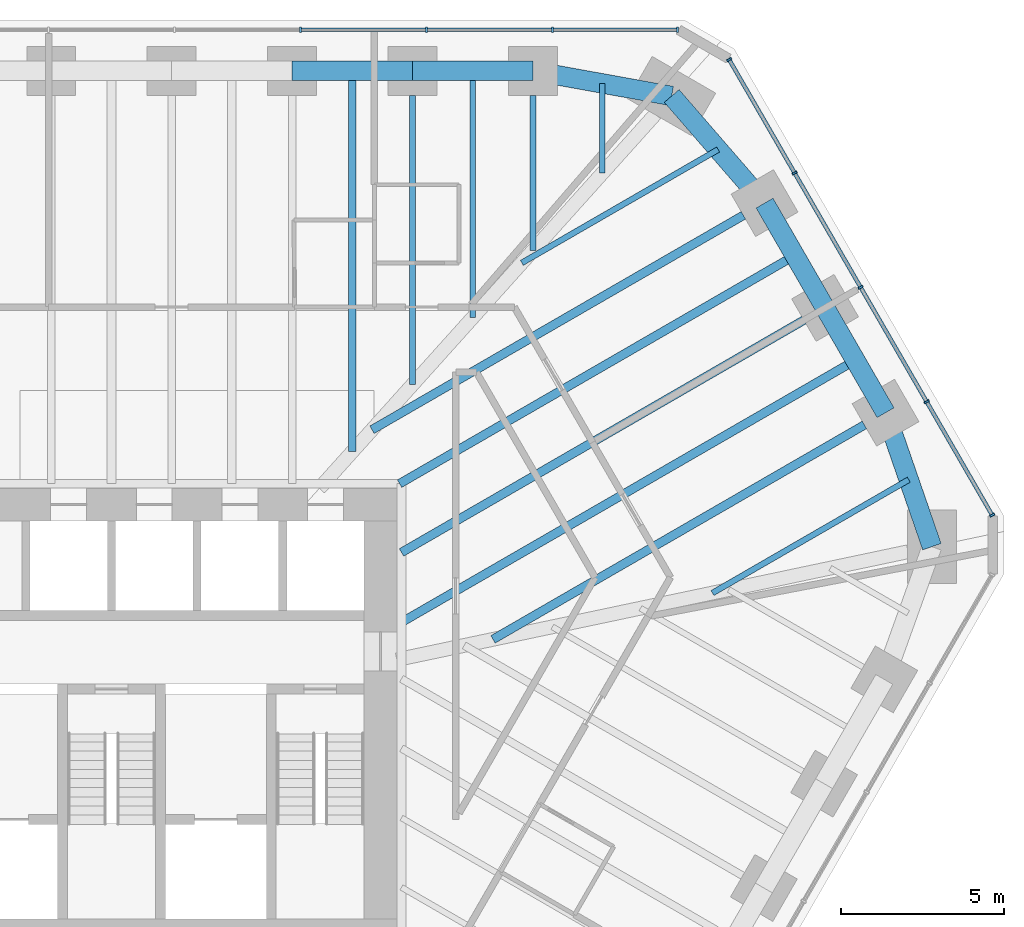
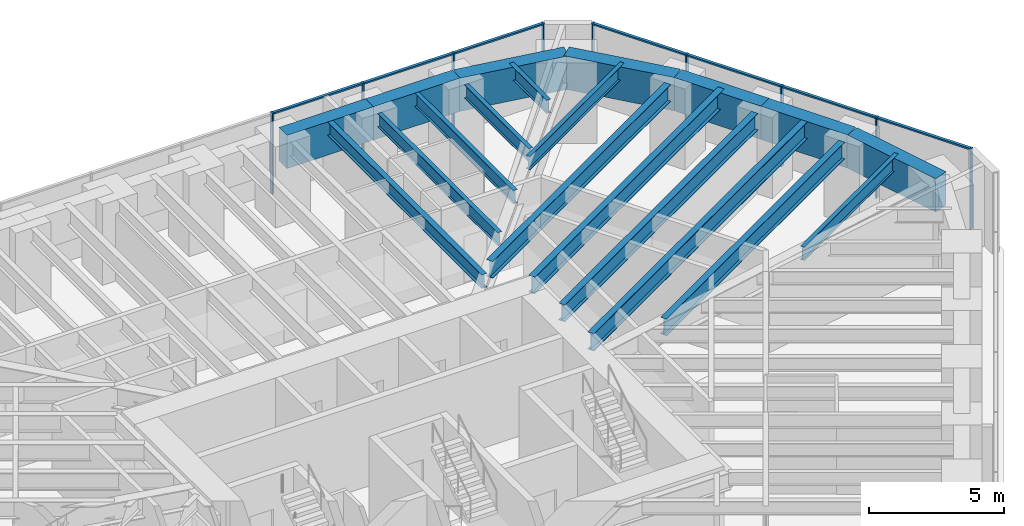
# One storey, part 9 of 16: 19 beams, 16 members, 2 elements without a shape of their own.
"""IFC4 building model written with IfcOpenShell, lengths in metres."""

from ifc_helpers import new_model, si_unit, direction, frame, origin, origin_2d, place, context, subcontext, project, spatial, rectangle, i_section, extrude, material, material_profile, profile_set, type_object, element, aggregate, save


model = new_model("IFC4")

# Units and contexts
model_context = context("Model", 3, precision=1e-05, world=origin(), true_north=direction((0.0, 1.0)))
body_context = subcontext(model_context, "Body", "Model", "MODEL_VIEW")
ifc_project = project(units=[si_unit("LENGTHUNIT", "METRE"), si_unit("AREAUNIT", "SQUARE_METRE"), si_unit("VOLUMEUNIT", "CUBIC_METRE"), si_unit("PLANEANGLEUNIT", "RADIAN"), si_unit("MASSUNIT", "GRAM", prefix="KILO")], contexts=[model_context])

# Site, building, storey
site_placement = place(None, origin())
site = spatial("IfcSite", under=ifc_project, at=site_placement, CompositionType="ELEMENT")
building_placement = place(site_placement, origin())
building = spatial("IfcBuilding", under=site, at=building_placement, Name="Sandreach Pilgrim Tower", CompositionType="ELEMENT")
storey_placement = place(building_placement, frame((0.0, 0.0, 228.800048828125)))
storey = spatial("IfcBuildingStorey", under=building, at=storey_placement, Name="L57", CompositionType="ELEMENT", Elevation=228.800048828125)

# Curtain wall, members
ifc_material_1 = material(Name="Aluminium framed curtain wall", Category="aluminium")
curtain_wall_type = type_object("IfcCurtainWallType", Name="Upper hotel tower curtain wall", PredefinedType="NOTDEFINED", material=ifc_material_1)
curtain_wall_1_placement = place(storey_placement, origin())
curtain_wall_1 = element("IfcCurtainWall", 1, at=curtain_wall_1_placement, inside=storey, type_object=curtain_wall_type, Name="CW-3 L57 N", PredefinedType="NOTDEFINED")
ifc_material_2 = material(Name="Aluminium extrusion", Category="aluminium")
ifc_material_profile_1 = material_profile(ifc_material_2, rectangle(XDim=0.06494140625, YDim=0.159912109375, at=origin_2d()), Name="CW-3M 65X160")
ifc_profile_set_1 = profile_set([ifc_material_profile_1], Name="Aluminium extrusion")
member_type_1 = type_object("IfcMemberType", Name="CW-3 mullion", PredefinedType="MULLION", material=ifc_profile_set_1)
member_1_placement = place(storey_placement, frame((5.796630859375, 21.16015625, 0.0), z_axis=(0.0, 0.0, 1.0), x_axis=(1.0, 0.0, 0.0)))
member_1 = element("IfcMember", 2, at=member_1_placement, type_object=member_type_1, Name="CW-3 mullion 7", PredefinedType="MULLION", context=body_context, shape_type="SweptSolid", body=[
    extrude(rectangle(XDim=0.06494140625, YDim=0.159912109375, at=origin_2d()), origin(), (0.0, 0.0, 1.0), 3.639892578125),
])
member_2_placement = place(storey_placement, frame((9.6611328125, 21.16015625, 0.0), z_axis=(0.0, 0.0, 1.0), x_axis=(1.0, 0.0, 0.0)))
member_2 = element("IfcMember", 3, at=member_2_placement, type_object=member_type_1, Name="CW-3 mullion 8", PredefinedType="MULLION", context=body_context, shape_type="SweptSolid", body=[
    extrude(rectangle(XDim=0.06494140625, YDim=0.159912109375, at=origin_2d()), origin(), (0.0, 0.0, 1.0), 3.639892578125),
])
member_3_placement = place(storey_placement, frame((13.525390625, 21.16015625, 0.0), z_axis=(0.0, 0.0, 1.0), x_axis=(1.0, 0.0, 0.0)))
member_3 = element("IfcMember", 4, at=member_3_placement, type_object=member_type_1, Name="CW-3 mullion 9", PredefinedType="MULLION", context=body_context, shape_type="SweptSolid", body=[
    extrude(rectangle(XDim=0.06494140625, YDim=0.159912109375, at=origin_2d()), origin(), (0.0, 0.0, 1.0), 3.639892578125),
])
member_4_placement = place(storey_placement, frame((17.357421875, 21.16015625, 0.0), z_axis=(0.0, 0.0, 1.0), x_axis=(1.0, 0.0, 0.0)))
member_4 = element("IfcMember", 5, at=member_4_placement, type_object=member_type_1, Name="CW-3 mullion 10", PredefinedType="MULLION", context=body_context, shape_type="SweptSolid", body=[
    extrude(rectangle(XDim=0.06494140625, YDim=0.159912109375, at=origin_2d()), origin(), (0.0, 0.0, 1.0), 3.639892578125),
])

curtain_wall_2_placement = place(storey_placement, origin())
curtain_wall_2 = element("IfcCurtainWall", 6, at=curtain_wall_2_placement, inside=storey, type_object=curtain_wall_type, Name="CW-3 L57 NE", PredefinedType="NOTDEFINED")
member_5_placement = place(storey_placement, frame((18.93896484375, 20.2470703125, 0.0), z_axis=(0.0, 0.0, 1.0), x_axis=(0.5, -0.866025403784, 0.0)))
member_5 = element("IfcMember", 7, at=member_5_placement, type_object=member_type_1, Name="CW-3 mullion 1", PredefinedType="MULLION", context=body_context, shape_type="SweptSolid", body=[
    extrude(rectangle(XDim=0.06494140625, YDim=0.159912109375, at=origin_2d()), origin(), (0.0, 0.0, 1.0), 3.639892578125),
])
member_6_placement = place(storey_placement, frame((20.947021484375, 16.768798828125, 0.0), z_axis=(0.0, 0.0, 1.0), x_axis=(0.5, -0.866025403784, 0.0)))
member_6 = element("IfcMember", 8, at=member_6_placement, type_object=member_type_1, Name="CW-3 mullion 2", PredefinedType="MULLION", context=body_context, shape_type="SweptSolid", body=[
    extrude(rectangle(XDim=0.06494140625, YDim=0.159912109375, at=origin_2d()), origin(), (0.0, 0.0, 1.0), 3.639892578125),
])
member_7_placement = place(storey_placement, frame((22.971435546875, 13.262451171875, 0.0), z_axis=(0.0, 0.0, 1.0), x_axis=(0.5, -0.866025403784, 0.0)))
member_7 = element("IfcMember", 9, at=member_7_placement, type_object=member_type_1, Name="CW-3 mullion 3", PredefinedType="MULLION", context=body_context, shape_type="SweptSolid", body=[
    extrude(rectangle(XDim=0.06494140625, YDim=0.159912109375, at=origin_2d()), origin(), (0.0, 0.0, 1.0), 3.639892578125),
])
member_8_placement = place(storey_placement, frame((24.995849609375, 9.75634765625, 0.0), z_axis=(0.0, 0.0, 1.0), x_axis=(0.5, -0.866025403784, 0.0)))
member_8 = element("IfcMember", 10, at=member_8_placement, type_object=member_type_1, Name="CW-3 mullion 4", PredefinedType="MULLION", context=body_context, shape_type="SweptSolid", body=[
    extrude(rectangle(XDim=0.06494140625, YDim=0.159912109375, at=origin_2d()), origin(), (0.0, 0.0, 1.0), 3.639892578125),
])
member_9_placement = place(storey_placement, frame((27.00390625, 6.278076171875, 0.0), z_axis=(0.0, 0.0, 1.0), x_axis=(0.5, -0.866025403784, 0.0)))
member_9 = element("IfcMember", 11, at=member_9_placement, type_object=member_type_1, Name="CW-3 mullion 5", PredefinedType="MULLION", context=body_context, shape_type="SweptSolid", body=[
    extrude(rectangle(XDim=0.06494140625, YDim=0.159912109375, at=origin_2d()), origin(), (0.0, 0.0, 1.0), 3.639892578125),
])

# Member
ifc_material_3 = material(Name="Aluminium extrusion", Category="aluminium")
ifc_material_profile_2 = material_profile(ifc_material_3, rectangle(XDim=0.1201171875, YDim=0.070068359375, at=origin_2d()), Name="CW-3T 120X70")
ifc_profile_set_2 = profile_set([ifc_material_profile_2], Name="Aluminium extrusion")
member_type_2 = type_object("IfcMemberType", Name="CW-3 transom", PredefinedType="USERDEFINED", material=ifc_profile_set_2)
member_10_placement = place(storey_placement, frame((5.8291015625, 21.16015625, 3.60498046875), z_axis=(1.0, 0.0, 0.0), x_axis=(0.0, 1.0, 0.0)))
member_10 = element("IfcMember", 12, at=member_10_placement, type_object=member_type_2, Name="CW-3 head transom 7", ObjectType="TRANSOM", PredefinedType="USERDEFINED", context=body_context, shape_type="SweptSolid", body=[
    extrude(rectangle(XDim=0.1201171875, YDim=0.070068359375, at=origin_2d()), origin(), (0.0, 0.0, 1.0), 3.799560546875),
])

member_11_placement = place(storey_placement, frame((9.693603515625, 21.16015625, 3.60498046875), z_axis=(1.0, 0.0, 0.0), x_axis=(0.0, 1.0, 0.0)))
member_11 = element("IfcMember", 13, at=member_11_placement, type_object=member_type_2, Name="CW-3 head transom 8", ObjectType="TRANSOM", PredefinedType="USERDEFINED", context=body_context, shape_type="SweptSolid", body=[
    extrude(rectangle(XDim=0.1201171875, YDim=0.070068359375, at=origin_2d()), origin(), (0.0, 0.0, 1.0), 3.79931640625),
])

member_12_placement = place(storey_placement, frame((13.557861328125, 21.16015625, 3.60498046875), z_axis=(1.0, 0.0, 0.0), x_axis=(0.0, 1.0, 0.0)))
member_12 = element("IfcMember", 14, at=member_12_placement, type_object=member_type_2, Name="CW-3 head transom 9", ObjectType="TRANSOM", PredefinedType="USERDEFINED", context=body_context, shape_type="SweptSolid", body=[
    extrude(rectangle(XDim=0.1201171875, YDim=0.070068359375, at=origin_2d()), origin(), (0.0, 0.0, 1.0), 3.76708984375),
])

aggregate(curtain_wall_1, [member_1, member_2, member_3, member_4, member_10, member_11, member_12])

member_13_placement = place(storey_placement, frame((18.955322265625, 20.21875, 3.60498046875), z_axis=(0.499993448556, -0.866029186229, 0.0), x_axis=(0.866029186229, 0.499993448556, 0.0)))
member_13 = element("IfcMember", 15, at=member_13_placement, type_object=member_type_2, Name="CW-3 head transom 1", ObjectType="TRANSOM", PredefinedType="USERDEFINED", context=body_context, shape_type="SweptSolid", body=[
    extrude(rectangle(XDim=0.1201171875, YDim=0.070068359375, at=origin_2d()), origin(), (0.0, 0.0, 1.0), 3.951171875),
])

member_14_placement = place(storey_placement, frame((20.96337890625, 16.74072265625, 3.60498046875), z_axis=(0.499975332564, -0.866039645067, 0.0), x_axis=(0.866039645067, 0.499975332564, 0.0)))
member_14 = element("IfcMember", 16, at=member_14_placement, type_object=member_type_2, Name="CW-3 head transom 2", ObjectType="TRANSOM", PredefinedType="USERDEFINED", context=body_context, shape_type="SweptSolid", body=[
    extrude(rectangle(XDim=0.1201171875, YDim=0.070068359375, at=origin_2d()), origin(), (0.0, 0.0, 1.0), 3.983642578125),
])

member_15_placement = place(storey_placement, frame((22.98779296875, 13.234375, 3.60498046875), z_axis=(0.499975332564, -0.866039645067, 0.0), x_axis=(0.866039645067, 0.499975332564, 0.0)))
member_15 = element("IfcMember", 17, at=member_15_placement, type_object=member_type_2, Name="CW-3 head transom 3", ObjectType="TRANSOM", PredefinedType="USERDEFINED", context=body_context, shape_type="SweptSolid", body=[
    extrude(rectangle(XDim=0.1201171875, YDim=0.070068359375, at=origin_2d()), origin(), (0.0, 0.0, 1.0), 3.983642578125),
])

member_16_placement = place(storey_placement, frame((25.011962890625, 9.728271484375, 3.60498046875), z_axis=(0.499993448556, -0.866029186229, 0.0), x_axis=(0.866029186229, 0.499993448556, 0.0)))
member_16 = element("IfcMember", 18, at=member_16_placement, type_object=member_type_2, Name="CW-3 head transom 4", ObjectType="TRANSOM", PredefinedType="USERDEFINED", context=body_context, shape_type="SweptSolid", body=[
    extrude(rectangle(XDim=0.1201171875, YDim=0.070068359375, at=origin_2d()), origin(), (0.0, 0.0, 1.0), 3.951171875),
])

aggregate(curtain_wall_2, [member_5, member_6, member_7, member_8, member_9, member_13, member_14, member_15, member_16])

# Beams
ifc_material_4 = material(Name="Steel ASTM A992 Grade 50", Category="steel")
ifc_material_profile_3 = material_profile(ifc_material_4, i_section(OverallWidth=0.1787109375, OverallDepth=0.60205078125, WebThickness=0.010986328125, FlangeThickness=0.014892578125, at=origin_2d()), Name="W24X62")
ifc_profile_set_3 = profile_set([ifc_material_profile_3], Name="Steel ASTM A992 Grade 50")
beam_type_1 = type_object("IfcBeamType", Name="Floor beam W24X62", PredefinedType="BEAM", material=ifc_profile_set_3)
beam_1_placement = place(storey_placement, frame((9.231201171875, 19.150146484375, 3.3388671875), z_axis=(0.0, -1.0, 0.0), x_axis=(1.0, 0.0, 0.0)))
element("IfcBeam", 19, at=beam_1_placement, inside=storey, type_object=beam_type_1, Name="BM L57 F07", PredefinedType="BEAM", context=body_context, shape_type="SweptSolid", body=[
    extrude(i_section(OverallWidth=0.1787109375, OverallDepth=0.60205078125, WebThickness=0.010986328125, FlangeThickness=0.014892578125, at=origin_2d()), origin(), (0.0, 0.0, 1.0), 8.86962890625),
])
beam_2_placement = place(storey_placement, frame((12.923828125, 19.150146484375, 3.3388671875), z_axis=(0.0, -1.0, 0.0), x_axis=(1.0, 0.0, 0.0)))
element("IfcBeam", 20, at=beam_2_placement, inside=storey, type_object=beam_type_1, Name="BM L57 F08", PredefinedType="BEAM", context=body_context, shape_type="SweptSolid", body=[
    extrude(i_section(OverallWidth=0.1787109375, OverallDepth=0.60205078125, WebThickness=0.010986328125, FlangeThickness=0.014892578125, at=origin_2d()), origin(), (0.0, 0.0, 1.0), 4.757568359375),
])
beam_3_placement = place(storey_placement, frame((11.077392578125, 19.900146484375, 3.3388671875), z_axis=(0.0, -1.0, 0.0), x_axis=(1.0, 0.0, 0.0)))
element("IfcBeam", 21, at=beam_3_placement, inside=storey, type_object=beam_type_1, Name="BM L57 FM07", PredefinedType="BEAM", context=body_context, shape_type="SweptSolid", body=[
    extrude(i_section(OverallWidth=0.1787109375, OverallDepth=0.60205078125, WebThickness=0.010986328125, FlangeThickness=0.014892578125, at=origin_2d()), origin(), (0.0, 0.0, 1.0), 7.563720703125),
])
beam_4_placement = place(storey_placement, frame((15.05078125, 19.515380859375, 3.3388671875), z_axis=(0.0, -1.0, 0.0), x_axis=(1.0, 0.0, 0.0)))
element("IfcBeam", 22, at=beam_4_placement, inside=storey, type_object=beam_type_1, Name="BM L57 FM08", PredefinedType="BEAM", context=body_context, shape_type="SweptSolid", body=[
    extrude(i_section(OverallWidth=0.1787109375, OverallDepth=0.60205078125, WebThickness=0.010986328125, FlangeThickness=0.014892578125, at=origin_2d()), origin(), (0.0, 0.0, 1.0), 2.75390625),
])
for number, where, z_axis, x_axis, name in (
    (23, (18.6015625, 17.48828125, 3.3388671875), (-0.866029381593, -0.499993110171, 0.0), (0.499993110171, -0.866029381593, 0.0), "BM L57 FM09"),
    (24, (24.446044921875, 7.365234375, 3.3388671875), (-0.866029381593, -0.499993110171, 0.0), (0.499993110171, -0.866029381593, 0.0), "BM L57 FM12"),
):
    element("IfcBeam", number, at=place(storey_placement, frame(where, z_axis=z_axis, x_axis=x_axis)), inside=storey, type_object=beam_type_1, Name=name, PredefinedType="BEAM", context=body_context, shape_type="SweptSolid", body=[
        extrude(i_section(OverallWidth=0.1787109375, OverallDepth=0.60205078125, WebThickness=0.010986328125, FlangeThickness=0.014892578125, at=origin_2d()), origin(), (0.0, 0.0, 1.0), 6.94921875),
    ])
ifc_material_5 = material(Name="Steel ASTM A992 Grade 50", Category="steel")
ifc_material_profile_4 = material_profile(ifc_material_5, i_section(OverallWidth=0.23046875, OverallDepth=0.6171875, WebThickness=0.01318359375, FlangeThickness=0.022216796875, at=origin_2d()), Name="W24X94")
ifc_profile_set_4 = profile_set([ifc_material_profile_4], Name="Steel ASTM A992 Grade 50")
beam_type_2 = type_object("IfcBeamType", Name="Floor beam W24X94", PredefinedType="BEAM", material=ifc_profile_set_4)
beam_5_placement = place(storey_placement, frame((7.385009765625, 19.900146484375, 3.331298828125), z_axis=(0.0, -1.0, 0.0), x_axis=(1.0, 0.0, 0.0)))
element("IfcBeam", 25, at=beam_5_placement, inside=storey, type_object=beam_type_2, Name="BM L57 FM06", PredefinedType="BEAM", context=body_context, shape_type="SweptSolid", body=[
    extrude(i_section(OverallWidth=0.23046875, OverallDepth=0.6171875, WebThickness=0.01318359375, FlangeThickness=0.022216796875, at=origin_2d()), origin(), (0.0, 0.0, 1.0), 11.67578125),
])
ifc_material_6 = material(Name="Steel ASTM A992 Grade 50", Category="steel")
ifc_material_profile_5 = material_profile(ifc_material_6, i_section(OverallWidth=0.2666015625, OverallDepth=0.761962890625, WebThickness=0.014404296875, FlangeThickness=0.021484375, at=origin_2d()), Name="W30X116")
ifc_profile_set_5 = profile_set([ifc_material_profile_5], Name="Steel ASTM A992 Grade 50")
beam_type_3 = type_object("IfcBeamType", Name="Floor beam W30X116", PredefinedType="BEAM", material=ifc_profile_set_5)
beam_6_placement = place(storey_placement, frame((19.37548828125, 15.470947265625, 3.259033203125), z_axis=(-0.866022320763, -0.500005339912, 0.0), x_axis=(0.500005339912, -0.866022320763, 0.0)))
element("IfcBeam", 26, at=beam_6_placement, inside=storey, type_object=beam_type_3, Name="BM L57 F10", PredefinedType="BEAM", context=body_context, shape_type="SweptSolid", body=[
    extrude(i_section(OverallWidth=0.2666015625, OverallDepth=0.761962890625, WebThickness=0.014404296875, FlangeThickness=0.021484375, at=origin_2d()), origin(), (0.0, 0.0, 1.0), 13.148193359375),
])
beam_7_placement = place(storey_placement, frame((21.230712890625, 12.257568359375, 3.259033203125), z_axis=(-0.866024056942, -0.500002332792, 0.0), x_axis=(0.500002332792, -0.866024056942, 0.0)))
element("IfcBeam", 27, at=beam_7_placement, inside=storey, type_object=beam_type_3, Name="BM L57 F11", PredefinedType="BEAM", context=body_context, shape_type="SweptSolid", body=[
    extrude(i_section(OverallWidth=0.2666015625, OverallDepth=0.761962890625, WebThickness=0.014404296875, FlangeThickness=0.021484375, at=origin_2d()), origin(), (0.0, 0.0, 1.0), 14.24609375),
])
beam_8_placement = place(storey_placement, frame((23.0859375, 9.044189453125, 3.259033203125), z_axis=(-0.866026962808, -0.499997299682, 0.0), x_axis=(0.499997299682, -0.866026962808, 0.0)))
element("IfcBeam", 28, at=beam_8_placement, inside=storey, type_object=beam_type_3, Name="BM L57 F12", PredefinedType="BEAM", context=body_context, shape_type="SweptSolid", body=[
    extrude(i_section(OverallWidth=0.2666015625, OverallDepth=0.761962890625, WebThickness=0.014404296875, FlangeThickness=0.021484375, at=origin_2d()), origin(), (0.0, 0.0, 1.0), 13.1484375),
])
beam_9_placement = place(storey_placement, frame((20.95263671875, 14.2392578125, 3.259033203125), z_axis=(-0.866025770688, -0.499999364504, 0.0), x_axis=(0.499999364504, -0.866025770688, 0.0)))
element("IfcBeam", 29, at=beam_9_placement, inside=storey, type_object=beam_type_3, Name="BM L57 FM10", PredefinedType="BEAM", context=body_context, shape_type="SweptSolid", body=[
    extrude(i_section(OverallWidth=0.2666015625, OverallDepth=0.761962890625, WebThickness=0.014404296875, FlangeThickness=0.021484375, at=origin_2d()), origin(), (0.0, 0.0, 1.0), 13.99169921875),
])
ifc_material_7 = material(Name="Steel ASTM A992 Grade 50", Category="steel")
ifc_material_profile_6 = material_profile(ifc_material_7, i_section(OverallWidth=0.2666015625, OverallDepth=0.77978515625, WebThickness=0.0166015625, FlangeThickness=0.030029296875, at=origin_2d()), Name="W30X148")
ifc_profile_set_6 = profile_set([ifc_material_profile_6], Name="Steel ASTM A992 Grade 50")
beam_type_4 = type_object("IfcBeamType", Name="Floor beam W30X148", PredefinedType="BEAM", material=ifc_profile_set_6)
beam_10_placement = place(storey_placement, frame((22.807861328125, 11.02587890625, 3.25), z_axis=(-0.866028701771, -0.499994287676, 0.0), x_axis=(0.499994287676, -0.866028701771, 0.0)))
element("IfcBeam", 30, at=beam_10_placement, inside=storey, type_object=beam_type_4, Name="BM L57 FM11", PredefinedType="BEAM", context=body_context, shape_type="SweptSolid", body=[
    extrude(i_section(OverallWidth=0.2666015625, OverallDepth=0.77978515625, WebThickness=0.0166015625, FlangeThickness=0.030029296875, at=origin_2d()), origin(), (0.0, 0.0, 1.0), 16.067138671875),
])
ifc_material_8 = material(Name="Concrete 10000 psi", Category="concrete")
ifc_material_profile_7 = material_profile(ifc_material_8, rectangle(XDim=0.60009765625, YDim=1.5, at=origin_2d()), Name="RC600X1500")
ifc_profile_set_7 = profile_set([ifc_material_profile_7], Name="Concrete 10000 psi")
beam_type_5 = type_object("IfcBeamType", Name="Spandrel beam RC600X1500", PredefinedType="SPANDREL", material=ifc_profile_set_7)
beam_11_placement = place(storey_placement, frame((5.538818359375, 19.900146484375, 2.889892578125), z_axis=(1.0, 0.0, 0.0), x_axis=(0.0, 1.0, 0.0)))
element("IfcBeam", 31, at=beam_11_placement, inside=storey, type_object=beam_type_5, Name="BM L57 SP06", PredefinedType="SPANDREL", context=body_context, shape_type="SweptSolid", body=[
    extrude(rectangle(XDim=0.60009765625, YDim=1.5, at=origin_2d()), origin(), (0.0, 0.0, 1.0), 3.6923828125),
])
beam_12_placement = place(storey_placement, frame((9.231201171875, 19.900146484375, 2.889892578125), z_axis=(1.0, 0.0, 0.0), x_axis=(0.0, 1.0, 0.0)))
element("IfcBeam", 32, at=beam_12_placement, inside=storey, type_object=beam_type_5, Name="BM L57 SP07", PredefinedType="SPANDREL", context=body_context, shape_type="SweptSolid", body=[
    extrude(rectangle(XDim=0.60009765625, YDim=1.5, at=origin_2d()), origin(), (0.0, 0.0, 1.0), 3.692626953125),
])
beam_13_placement = place(storey_placement, frame((12.923828125, 19.900146484375, 2.889892578125), z_axis=(0.984030345637, -0.178000783326, 0.0), x_axis=(0.178000783326, 0.984030345637, 0.0)))
element("IfcBeam", 33, at=beam_13_placement, inside=storey, type_object=beam_type_5, Name="BM L57 SP08", PredefinedType="SPANDREL", context=body_context, shape_type="SweptSolid", body=[
    extrude(rectangle(XDim=0.60009765625, YDim=1.5, at=origin_2d()), origin(), (0.0, 0.0, 1.0), 4.3232421875),
])
beam_14_placement = place(storey_placement, frame((17.177978515625, 19.130615234375, 2.889892578125), z_axis=(0.65499040715, -0.755637192402, 0.0), x_axis=(0.755637192402, 0.65499040715, 0.0)))
element("IfcBeam", 34, at=beam_14_placement, inside=storey, type_object=beam_type_5, Name="BM L57 SP09", PredefinedType="SPANDREL", context=body_context, shape_type="SweptSolid", body=[
    extrude(rectangle(XDim=0.60009765625, YDim=1.5, at=origin_2d()), origin(), (0.0, 0.0, 1.0), 4.346923828125),
])
for number, where, z_axis, x_axis, name in (
    (35, (20.025146484375, 15.845947265625, 2.889892578125), (0.499995842751, -0.86602780396, 0.0), (0.86602780396, 0.499995842751, 0.0), "BM L57 SP10"),
    (36, (21.88037109375, 12.632568359375, 2.889892578125), (0.499946491854, -0.866056294523, 0.0), (0.866056294523, 0.499946491854, 0.0), "BM L57 SP11"),
):
    element("IfcBeam", number, at=place(storey_placement, frame(where, z_axis=z_axis, x_axis=x_axis)), inside=storey, type_object=beam_type_5, Name=name, PredefinedType="SPANDREL", context=body_context, shape_type="SweptSolid", body=[
        extrude(rectangle(XDim=0.60009765625, YDim=1.5, at=origin_2d()), origin(), (0.0, 0.0, 1.0), 3.71044921875),
    ])
beam_15_placement = place(storey_placement, frame((23.7353515625, 9.419189453125, 2.889892578125), z_axis=(0.326940800053, -0.945044820768, 0.0), x_axis=(0.945044820768, 0.326940800053, 0.0)))
element("IfcBeam", 37, at=beam_15_placement, inside=storey, type_object=beam_type_5, Name="BM L57 SP12", PredefinedType="SPANDREL", context=body_context, shape_type="SweptSolid", body=[
    extrude(rectangle(XDim=0.60009765625, YDim=1.5, at=origin_2d()), origin(), (0.0, 0.0, 1.0), 4.3466796875),
])

save(model, "model.ifc")
